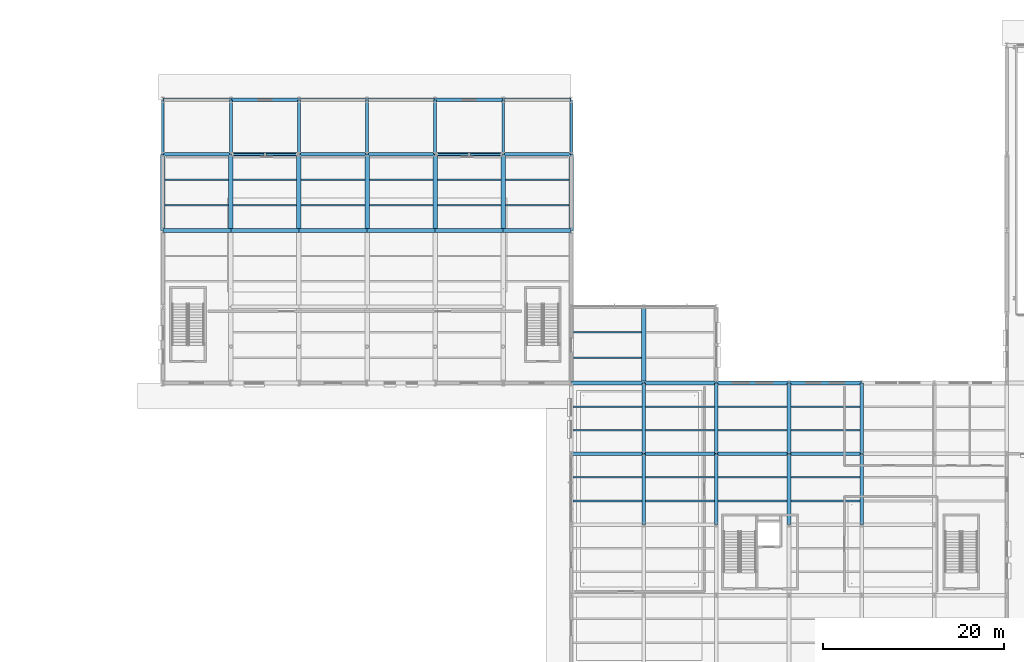
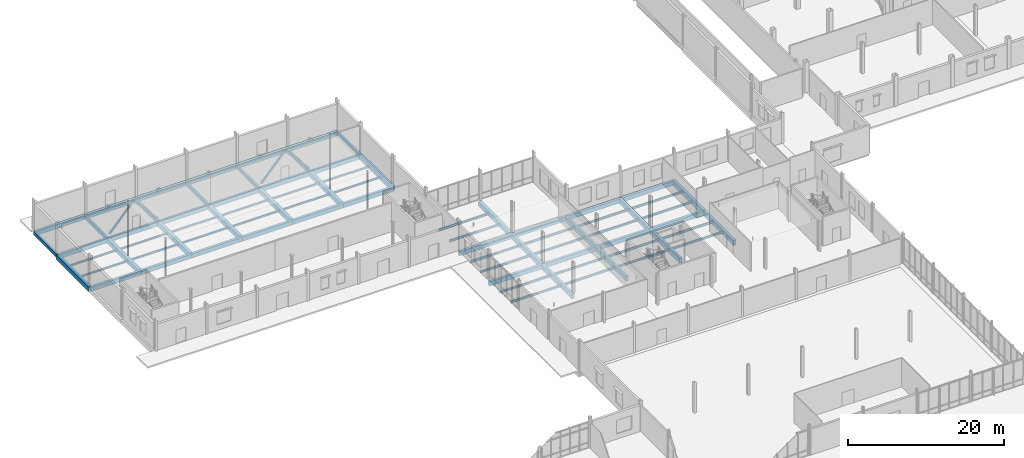
# One storey, part 31 of 82: 79 beams, 4 members.
"""IFC4 building model written with IfcOpenShell, lengths in metres."""

from ifc_helpers import new_model, si_unit, direction, frame, origin, origin_2d, place, context, subcontext, project, spatial, rectangle, hollow_rectangle, i_section, extrude, material, material_profile, profile_set, type_object, element, save


model = new_model("IFC4")

# Units and contexts
model_context = context("Model", 3, precision=1e-05, world=origin(), true_north=direction((0.0, 1.0)))
body_context = subcontext(model_context, "Body", "Model", "MODEL_VIEW")
ifc_project = project(units=[si_unit("LENGTHUNIT", "METRE"), si_unit("AREAUNIT", "SQUARE_METRE"), si_unit("VOLUMEUNIT", "CUBIC_METRE"), si_unit("PLANEANGLEUNIT", "RADIAN"), si_unit("MASSUNIT", "GRAM", prefix="KILO")], contexts=[model_context])

# Site, building, storey
site_placement = place(None, origin())
site = spatial("IfcSite", under=ifc_project, at=site_placement, CompositionType="ELEMENT")
building_placement = place(site_placement, origin())
building = spatial("IfcBuilding", under=site, at=building_placement, Name="Yukiwa Park Conservatory and Herbarium", CompositionType="ELEMENT")
storey_placement = place(building_placement, origin())
storey = spatial("IfcBuildingStorey", under=building, at=storey_placement, Name="L00", CompositionType="ELEMENT", Elevation=0.0)

# Beams
ifc_material_1 = material(Name="Steel Q355D", Category="steel")
ifc_material_profile_1 = material_profile(ifc_material_1, i_section(OverallWidth=0.14892578125, OverallDepth=0.298095703125, WebThickness=0.005615234375, FlangeThickness=0.008056640625, FilletRadius=0.012939453125, at=origin_2d()), Name="HN 298x149x5.5x8")
ifc_profile_set_1 = profile_set([ifc_material_profile_1], Name="Steel Q355D")
beam_type_1 = type_object("IfcBeamType", Name="BM-JST-HN298", PredefinedType="JOIST", material=ifc_profile_set_1)
for number, where, z_axis, x_axis, name in (
    (1, (15.24609375, 97.60009765625, -0.408935546875), (1.0, 0.0, 0.0), (0.0, 1.0, 0.0), "L00 composite floor joist 21"),
    (2, (15.24609375, 100.39990234375, -0.408935546875), (1.0, 0.0, 0.0), (0.0, 1.0, 0.0), "L00 composite floor joist 22"),
    (3, (22.74609375, 97.60009765625, -0.408935546875), (1.0, 0.0, 0.0), (0.0, 1.0, 0.0), "L00 composite floor joist 35"),
    (4, (22.74609375, 100.39990234375, -0.408935546875), (1.0, 0.0, 0.0), (0.0, 1.0, 0.0), "L00 composite floor joist 36"),
    (5, (30.24609375, 97.60009765625, -0.408935546875), (1.0, 0.0, 0.0), (0.0, 1.0, 0.0), "L00 composite floor joist 49"),
    (6, (30.24609375, 100.39990234375, -0.408935546875), (1.0, 0.0, 0.0), (0.0, 1.0, 0.0), "L00 composite floor joist 50"),
    (7, (37.74609375, 97.60009765625, -0.408935546875), (1.0, 0.0, 0.0), (0.0, 1.0, 0.0), "L00 composite floor joist 63"),
    (8, (37.74609375, 100.39990234375, -0.408935546875), (1.0, 0.0, 0.0), (0.0, 1.0, 0.0), "L00 composite floor joist 64"),
    (9, (45.24609375, 97.60009765625, -0.408935546875), (1.0, 0.0, 0.0), (0.0, 1.0, 0.0), "L00 composite floor joist 77"),
    (10, (45.24609375, 100.39990234375, -0.408935546875), (1.0, 0.0, 0.0), (0.0, 1.0, 0.0), "L00 composite floor joist 78"),
    (11, (52.74609375, 97.60009765625, -0.408935546875), (1.0, 0.0, 0.0), (0.0, 1.0, 0.0), "L00 composite floor joist 87"),
    (12, (52.74609375, 100.39990234375, -0.408935546875), (1.0, 0.0, 0.0), (0.0, 1.0, 0.0), "L00 composite floor joist 88"),
):
    element("IfcBeam", number, at=place(storey_placement, frame(where, z_axis=z_axis, x_axis=x_axis)), inside=storey, type_object=beam_type_1, Name=name, PredefinedType="JOIST", context=body_context, shape_type="SweptSolid", body=[
        extrude(i_section(OverallWidth=0.14892578125, OverallDepth=0.298095703125, WebThickness=0.005615234375, FlangeThickness=0.008056640625, FilletRadius=0.012939453125, at=origin_2d()), origin(), (0.0, 0.0, 1.0), 7.0078125),
    ])
ifc_material_2 = material(Name="Steel Q355D", Category="steel")
ifc_material_profile_2 = material_profile(ifc_material_2, i_section(OverallWidth=0.174072265625, OverallDepth=0.345947265625, WebThickness=0.006103515625, FlangeThickness=0.009033203125, FilletRadius=0.013916015625, at=origin_2d()), Name="HN 346x174x6x9")
ifc_profile_set_2 = profile_set([ifc_material_profile_2], Name="Steel Q355D")
beam_type_2 = type_object("IfcBeamType", Name="BM-JST-HN346", PredefinedType="JOIST", material=ifc_profile_set_2)
for number, where, z_axis, x_axis, name in (
    (13, (60.196044921875, 65.0, -0.43310546875), (1.0, 0.0, 0.0), (0.0, 1.0, 0.0), "L00 composite floor joist 97"),
    (14, (60.196044921875, 67.60009765625, -0.43310546875), (1.0, 0.0, 0.0), (0.0, 1.0, 0.0), "L00 composite floor joist 98"),
    (15, (60.196044921875, 72.800048828125, -0.43310546875), (1.0, 0.0, 0.0), (0.0, 1.0, 0.0), "L00 composite floor joist 99"),
    (16, (60.196044921875, 75.39990234375, -0.43310546875), (1.0, 0.0, 0.0), (0.0, 1.0, 0.0), "L00 composite floor joist 100"),
):
    element("IfcBeam", number, at=place(storey_placement, frame(where, z_axis=z_axis, x_axis=x_axis)), inside=storey, type_object=beam_type_2, Name=name, PredefinedType="JOIST", context=body_context, shape_type="SweptSolid", body=[
        extrude(i_section(OverallWidth=0.174072265625, OverallDepth=0.345947265625, WebThickness=0.006103515625, FlangeThickness=0.009033203125, FilletRadius=0.013916015625, at=origin_2d()), origin(), (0.0, 0.0, 1.0), 7.60791015625),
    ])
for number, where, z_axis, x_axis, name in (
    (17, (60.24609375, 80.800048828125, -0.43310546875), (1.0, 0.0, 0.0), (0.0, 1.0, 0.0), "L00 composite floor joist 101"),
    (18, (60.24609375, 83.60009765625, -0.43310546875), (1.0, 0.0, 0.0), (0.0, 1.0, 0.0), "L00 composite floor joist 102"),
):
    element("IfcBeam", number, at=place(storey_placement, frame(where, z_axis=z_axis, x_axis=x_axis)), inside=storey, type_object=beam_type_2, Name=name, PredefinedType="JOIST", context=body_context, shape_type="SweptSolid", body=[
        extrude(i_section(OverallWidth=0.174072265625, OverallDepth=0.345947265625, WebThickness=0.006103515625, FlangeThickness=0.009033203125, FilletRadius=0.013916015625, at=origin_2d()), origin(), (0.0, 0.0, 1.0), 7.5078125),
    ])
for number, where, z_axis, x_axis, name in (
    (19, (68.196044921875, 65.0, -0.43310546875), (1.0, 0.0, 0.0), (0.0, 1.0, 0.0), "L00 composite floor joist 115"),
    (20, (68.196044921875, 67.60009765625, -0.43310546875), (1.0, 0.0, 0.0), (0.0, 1.0, 0.0), "L00 composite floor joist 116"),
    (21, (68.196044921875, 72.800048828125, -0.43310546875), (1.0, 0.0, 0.0), (0.0, 1.0, 0.0), "L00 composite floor joist 117"),
    (22, (68.196044921875, 75.39990234375, -0.43310546875), (1.0, 0.0, 0.0), (0.0, 1.0, 0.0), "L00 composite floor joist 118"),
    (23, (76.196044921875, 65.0, -0.43310546875), (1.0, 0.0, 0.0), (0.0, 1.0, 0.0), "L00 composite floor joist 131"),
    (24, (76.196044921875, 67.60009765625, -0.43310546875), (1.0, 0.0, 0.0), (0.0, 1.0, 0.0), "L00 composite floor joist 132"),
    (25, (76.196044921875, 72.800048828125, -0.43310546875), (1.0, 0.0, 0.0), (0.0, 1.0, 0.0), "L00 composite floor joist 133"),
    (26, (76.196044921875, 75.39990234375, -0.43310546875), (1.0, 0.0, 0.0), (0.0, 1.0, 0.0), "L00 composite floor joist 134"),
    (27, (84.196044921875, 65.0, -0.43310546875), (1.0, 0.0, 0.0), (0.0, 1.0, 0.0), "L00 composite floor joist 147"),
    (28, (84.196044921875, 67.60009765625, -0.43310546875), (1.0, 0.0, 0.0), (0.0, 1.0, 0.0), "L00 composite floor joist 148"),
    (29, (84.196044921875, 72.800048828125, -0.43310546875), (1.0, 0.0, 0.0), (0.0, 1.0, 0.0), "L00 composite floor joist 149"),
    (30, (84.196044921875, 75.39990234375, -0.43310546875), (1.0, 0.0, 0.0), (0.0, 1.0, 0.0), "L00 composite floor joist 150"),
):
    element("IfcBeam", number, at=place(storey_placement, frame(where, z_axis=z_axis, x_axis=x_axis)), inside=storey, type_object=beam_type_2, Name=name, PredefinedType="JOIST", context=body_context, shape_type="SweptSolid", body=[
        extrude(i_section(OverallWidth=0.174072265625, OverallDepth=0.345947265625, WebThickness=0.006103515625, FlangeThickness=0.009033203125, FilletRadius=0.013916015625, at=origin_2d()), origin(), (0.0, 0.0, 1.0), 7.60791015625),
    ])
ifc_material_3 = material(Name="Concrete C40", Category="concrete")
ifc_material_profile_3 = material_profile(ifc_material_3, rectangle(XDim=0.300048828125, YDim=0.5, at=origin_2d()), Name="RC 300x500")
ifc_profile_set_3 = profile_set([ifc_material_profile_3], Name="Concrete C40")
beam_type_3 = type_object("IfcBeamType", Name="BM-RC-300X500", PredefinedType="BEAM", material=ifc_profile_set_3)
for number, where, z_axis, x_axis, name in (
    (31, (15.0, 103.2060546875, -0.510009765625), (0.0, 1.0, 0.0), (-1.0, 0.0, 0.0), "L00 grid girder Y-168"),
    (32, (22.5, 103.2060546875, -0.510009765625), (0.0, 1.0, 0.0), (-1.0, 0.0, 0.0), "L00 grid girder Y-176"),
    (33, (30.0, 103.2060546875, -0.510009765625), (0.0, 1.0, 0.0), (-1.0, 0.0, 0.0), "L00 grid girder Y-184"),
    (34, (37.5, 103.2060546875, -0.510009765625), (0.0, 1.0, 0.0), (-1.0, 0.0, 0.0), "L00 grid girder Y-192"),
    (35, (45.0, 103.2060546875, -0.510009765625), (0.0, 1.0, 0.0), (-1.0, 0.0, 0.0), "L00 grid girder Y-200"),
    (36, (52.5, 103.2060546875, -0.510009765625), (0.0, 1.0, 0.0), (-1.0, 0.0, 0.0), "L00 grid girder Y-208"),
    (37, (60.0, 103.2060546875, -0.510009765625), (0.0, 1.0, 0.0), (-1.0, 0.0, 0.0), "L00 grid girder Y-220"),
):
    element("IfcBeam", number, at=place(storey_placement, frame(where, z_axis=z_axis, x_axis=x_axis)), inside=storey, type_object=beam_type_3, Name=name, PredefinedType="BEAM", context=body_context, shape_type="SweptSolid", body=[
        extrude(rectangle(XDim=0.300048828125, YDim=0.5, at=origin_2d()), origin(), (0.0, 0.0, 1.0), 5.988037109375),
    ])
ifc_material_4 = material(Name="Concrete C40", Category="concrete")
ifc_material_profile_4 = material_profile(ifc_material_4, rectangle(XDim=0.39990234375, YDim=0.64990234375, at=origin_2d()), Name="RC 400x650")
ifc_profile_set_4 = profile_set([ifc_material_profile_4], Name="Concrete C40")
beam_type_4 = type_object("IfcBeamType", Name="BM-RC-400X650", PredefinedType="BEAM", material=ifc_profile_set_4)
for number, where, z_axis, x_axis, name in (
    (38, (60.006103515625, 70.199951171875, -0.5849609375), (1.0, 0.0, 0.0), (0.0, 1.0, 0.0), "L00 grid beam X-80"),
    (39, (68.006103515625, 70.199951171875, -0.5849609375), (1.0, 0.0, 0.0), (0.0, 1.0, 0.0), "L00 grid beam X-81"),
    (40, (76.006103515625, 70.199951171875, -0.5849609375), (1.0, 0.0, 0.0), (0.0, 1.0, 0.0), "L00 grid beam X-82"),
    (41, (84.006103515625, 70.199951171875, -0.5849609375), (1.0, 0.0, 0.0), (0.0, 1.0, 0.0), "L00 grid beam X-83"),
    (42, (60.006103515625, 78.0, -0.5849609375), (1.0, 0.0, 0.0), (0.0, 1.0, 0.0), "L00 grid beam X-92"),
    (43, (68.006103515625, 78.0, -0.5849609375), (1.0, 0.0, 0.0), (0.0, 1.0, 0.0), "L00 grid beam X-93"),
    (44, (76.006103515625, 78.0, -0.5849609375), (1.0, 0.0, 0.0), (0.0, 1.0, 0.0), "L00 grid beam X-94"),
    (45, (84.006103515625, 78.0, -0.5849609375), (1.0, 0.0, 0.0), (0.0, 1.0, 0.0), "L00 grid beam X-95"),
):
    element("IfcBeam", number, at=place(storey_placement, frame(where, z_axis=z_axis, x_axis=x_axis)), inside=storey, type_object=beam_type_4, Name=name, PredefinedType="BEAM", context=body_context, shape_type="SweptSolid", body=[
        extrude(rectangle(XDim=0.39990234375, YDim=0.64990234375, at=origin_2d()), origin(), (0.0, 0.0, 1.0), 7.98779296875),
    ])
for number, where, z_axis, x_axis, name in (
    (46, (15.006103515625, 94.800048828125, -0.5849609375), (1.0, 0.0, 0.0), (0.0, 1.0, 0.0), "L00 grid beam X-117"),
    (47, (22.506103515625, 94.800048828125, -0.5849609375), (1.0, 0.0, 0.0), (0.0, 1.0, 0.0), "L00 grid beam X-118"),
    (48, (30.006103515625, 94.800048828125, -0.5849609375), (1.0, 0.0, 0.0), (0.0, 1.0, 0.0), "L00 grid beam X-119"),
    (49, (37.506103515625, 94.800048828125, -0.5849609375), (1.0, 0.0, 0.0), (0.0, 1.0, 0.0), "L00 grid beam X-120"),
    (50, (45.006103515625, 94.800048828125, -0.5849609375), (1.0, 0.0, 0.0), (0.0, 1.0, 0.0), "L00 grid beam X-121"),
    (51, (52.506103515625, 94.800048828125, -0.5849609375), (1.0, 0.0, 0.0), (0.0, 1.0, 0.0), "L00 grid beam X-122"),
    (52, (15.006103515625, 103.199951171875, -0.5849609375), (1.0, 0.0, 0.0), (0.0, 1.0, 0.0), "L00 grid beam X-129"),
    (53, (22.506103515625, 103.199951171875, -0.5849609375), (1.0, 0.0, 0.0), (0.0, 1.0, 0.0), "L00 grid beam X-130"),
    (54, (30.006103515625, 103.199951171875, -0.5849609375), (1.0, 0.0, 0.0), (0.0, 1.0, 0.0), "L00 grid beam X-131"),
    (55, (37.506103515625, 103.199951171875, -0.5849609375), (1.0, 0.0, 0.0), (0.0, 1.0, 0.0), "L00 grid beam X-132"),
    (56, (45.006103515625, 103.199951171875, -0.5849609375), (1.0, 0.0, 0.0), (0.0, 1.0, 0.0), "L00 grid beam X-133"),
    (57, (52.506103515625, 103.199951171875, -0.5849609375), (1.0, 0.0, 0.0), (0.0, 1.0, 0.0), "L00 grid beam X-134"),
    (58, (15.006103515625, 109.199951171875, -0.5849609375), (1.0, 0.0, 0.0), (0.0, 1.0, 0.0), "L00 grid beam X-141"),
    (59, (22.506103515625, 109.199951171875, -0.5849609375), (1.0, 0.0, 0.0), (0.0, 1.0, 0.0), "L00 grid beam X-142"),
    (60, (30.006103515625, 109.199951171875, -0.5849609375), (1.0, 0.0, 0.0), (0.0, 1.0, 0.0), "L00 grid beam X-143"),
    (61, (37.506103515625, 109.199951171875, -0.5849609375), (1.0, 0.0, 0.0), (0.0, 1.0, 0.0), "L00 grid beam X-144"),
    (62, (45.006103515625, 109.199951171875, -0.5849609375), (1.0, 0.0, 0.0), (0.0, 1.0, 0.0), "L00 grid beam X-145"),
    (63, (52.506103515625, 109.199951171875, -0.5849609375), (1.0, 0.0, 0.0), (0.0, 1.0, 0.0), "L00 grid beam X-146"),
):
    element("IfcBeam", number, at=place(storey_placement, frame(where, z_axis=z_axis, x_axis=x_axis)), inside=storey, type_object=beam_type_4, Name=name, PredefinedType="BEAM", context=body_context, shape_type="SweptSolid", body=[
        extrude(rectangle(XDim=0.39990234375, YDim=0.64990234375, at=origin_2d()), origin(), (0.0, 0.0, 1.0), 7.48779296875),
    ])
ifc_material_5 = material(Name="Concrete C40", Category="concrete")
ifc_material_profile_5 = material_profile(ifc_material_5, rectangle(XDim=0.39990234375, YDim=0.800048828125, at=origin_2d()), Name="RC 400x800")
ifc_profile_set_5 = profile_set([ifc_material_profile_5], Name="Concrete C40")
beam_type_5 = type_object("IfcBeamType", Name="BM-RC-400X800", PredefinedType="BEAM", material=ifc_profile_set_5)
beam_1_placement = place(storey_placement, frame((68.0, 62.406005859375, -0.659912109375), z_axis=(0.0, 1.0, 0.0), x_axis=(-1.0, 0.0, 0.0)))
element("IfcBeam", 64, at=beam_1_placement, inside=storey, type_object=beam_type_5, Name="L00 grid girder Y-227", PredefinedType="BEAM", context=body_context, shape_type="SweptSolid", body=[
    extrude(rectangle(XDim=0.39990234375, YDim=0.800048828125, at=origin_2d()), origin(), (0.0, 0.0, 1.0), 7.7880859375),
])
beam_2_placement = place(storey_placement, frame((68.0, 70.2060546875, -0.659912109375), z_axis=(0.0, 1.0, 0.0), x_axis=(-1.0, 0.0, 0.0)))
element("IfcBeam", 65, at=beam_2_placement, inside=storey, type_object=beam_type_5, Name="L00 grid girder Y-228", PredefinedType="BEAM", context=body_context, shape_type="SweptSolid", body=[
    extrude(rectangle(XDim=0.39990234375, YDim=0.800048828125, at=origin_2d()), origin(), (0.0, 0.0, 1.0), 7.787841796875),
])
beam_3_placement = place(storey_placement, frame((76.0, 62.406005859375, -0.659912109375), z_axis=(0.0, 1.0, 0.0), x_axis=(-1.0, 0.0, 0.0)))
element("IfcBeam", 66, at=beam_3_placement, inside=storey, type_object=beam_type_5, Name="L00 grid girder Y-236", PredefinedType="BEAM", context=body_context, shape_type="SweptSolid", body=[
    extrude(rectangle(XDim=0.39990234375, YDim=0.800048828125, at=origin_2d()), origin(), (0.0, 0.0, 1.0), 7.7880859375),
])
beam_4_placement = place(storey_placement, frame((76.0, 70.2060546875, -0.659912109375), z_axis=(0.0, 1.0, 0.0), x_axis=(-1.0, 0.0, 0.0)))
element("IfcBeam", 67, at=beam_4_placement, inside=storey, type_object=beam_type_5, Name="L00 grid girder Y-237", PredefinedType="BEAM", context=body_context, shape_type="SweptSolid", body=[
    extrude(rectangle(XDim=0.39990234375, YDim=0.800048828125, at=origin_2d()), origin(), (0.0, 0.0, 1.0), 7.787841796875),
])
beam_5_placement = place(storey_placement, frame((84.0, 62.406005859375, -0.659912109375), z_axis=(0.0, 1.0, 0.0), x_axis=(-1.0, 0.0, 0.0)))
element("IfcBeam", 68, at=beam_5_placement, inside=storey, type_object=beam_type_5, Name="L00 grid girder Y-245", PredefinedType="BEAM", context=body_context, shape_type="SweptSolid", body=[
    extrude(rectangle(XDim=0.39990234375, YDim=0.800048828125, at=origin_2d()), origin(), (0.0, 0.0, 1.0), 7.7880859375),
])
beam_6_placement = place(storey_placement, frame((84.0, 70.2060546875, -0.659912109375), z_axis=(0.0, 1.0, 0.0), x_axis=(-1.0, 0.0, 0.0)))
element("IfcBeam", 69, at=beam_6_placement, inside=storey, type_object=beam_type_5, Name="L00 grid girder Y-246", PredefinedType="BEAM", context=body_context, shape_type="SweptSolid", body=[
    extrude(rectangle(XDim=0.39990234375, YDim=0.800048828125, at=origin_2d()), origin(), (0.0, 0.0, 1.0), 7.787841796875),
])
beam_7_placement = place(storey_placement, frame((92.0, 62.406005859375, -0.659912109375), z_axis=(0.0, 1.0, 0.0), x_axis=(-1.0, 0.0, 0.0)))
element("IfcBeam", 70, at=beam_7_placement, inside=storey, type_object=beam_type_5, Name="L00 grid girder Y-253", PredefinedType="BEAM", context=body_context, shape_type="SweptSolid", body=[
    extrude(rectangle(XDim=0.39990234375, YDim=0.800048828125, at=origin_2d()), origin(), (0.0, 0.0, 1.0), 7.7880859375),
])
beam_8_placement = place(storey_placement, frame((92.0, 70.2060546875, -0.659912109375), z_axis=(0.0, 1.0, 0.0), x_axis=(-1.0, 0.0, 0.0)))
element("IfcBeam", 71, at=beam_8_placement, inside=storey, type_object=beam_type_5, Name="L00 grid girder Y-254", PredefinedType="BEAM", context=body_context, shape_type="SweptSolid", body=[
    extrude(rectangle(XDim=0.39990234375, YDim=0.800048828125, at=origin_2d()), origin(), (0.0, 0.0, 1.0), 7.787841796875),
])
ifc_material_6 = material(Name="Concrete C40", Category="concrete")
ifc_material_profile_6 = material_profile(ifc_material_6, rectangle(XDim=0.5, YDim=0.699951171875, at=origin_2d()), Name="RC 500x700")
ifc_profile_set_6 = profile_set([ifc_material_profile_6], Name="Concrete C40")
beam_type_6 = type_object("IfcBeamType", Name="BM-RC-500X700", PredefinedType="BEAM", material=ifc_profile_set_6)
for number, where, z_axis, x_axis, name in (
    (72, (15.0, 94.805908203125, -0.610107421875), (0.0, 1.0, 0.0), (-1.0, 0.0, 0.0), "L00 grid girder Y-167"),
    (73, (22.5, 94.805908203125, -0.610107421875), (0.0, 1.0, 0.0), (-1.0, 0.0, 0.0), "L00 grid girder Y-175"),
    (74, (30.0, 94.805908203125, -0.610107421875), (0.0, 1.0, 0.0), (-1.0, 0.0, 0.0), "L00 grid girder Y-183"),
    (75, (37.5, 94.805908203125, -0.610107421875), (0.0, 1.0, 0.0), (-1.0, 0.0, 0.0), "L00 grid girder Y-191"),
    (76, (45.0, 94.805908203125, -0.610107421875), (0.0, 1.0, 0.0), (-1.0, 0.0, 0.0), "L00 grid girder Y-199"),
    (77, (52.5, 94.805908203125, -0.610107421875), (0.0, 1.0, 0.0), (-1.0, 0.0, 0.0), "L00 grid girder Y-207"),
    (78, (60.0, 94.805908203125, -0.610107421875), (0.0, 1.0, 0.0), (-1.0, 0.0, 0.0), "L00 grid girder Y-219"),
):
    element("IfcBeam", number, at=place(storey_placement, frame(where, z_axis=z_axis, x_axis=x_axis)), inside=storey, type_object=beam_type_6, Name=name, PredefinedType="BEAM", context=body_context, shape_type="SweptSolid", body=[
        extrude(rectangle(XDim=0.5, YDim=0.699951171875, at=origin_2d()), origin(), (0.0, 0.0, 1.0), 8.38818359375),
    ])
beam_9_placement = place(storey_placement, frame((68.0, 78.006103515625, -0.610107421875), z_axis=(0.0, 1.0, 0.0), x_axis=(-1.0, 0.0, 0.0)))
element("IfcBeam", 79, at=beam_9_placement, inside=storey, type_object=beam_type_6, Name="L00 grid girder Y-229", PredefinedType="BEAM", context=body_context, shape_type="SweptSolid", body=[
    extrude(rectangle(XDim=0.5, YDim=0.699951171875, at=origin_2d()), origin(), (0.0, 0.0, 1.0), 8.387939453125),
])

# Members
ifc_material_7 = material(Name="Steel Q355D", Category="steel")
ifc_material_profile_7 = material_profile(ifc_material_7, hollow_rectangle(XDim=0.25, YDim=0.25, WallThickness=0.010009765625, InnerFilletRadius=0.010009765625, OuterFilletRadius=0.02001953125, at=origin_2d()), Name="SHS 250x250x10")
ifc_profile_set_7 = profile_set([ifc_material_profile_7], Name="Steel Q355D")
member_type = type_object("IfcMemberType", Name="MB-BR-SHS250", PredefinedType="BRACE", material=ifc_profile_set_7)
for number, where, z_axis, x_axis, name in (
    (80, (22.69873046875, 103.199951171875, 0.268798828125), (0.671743636297, 0.0, 0.740783697913), (0.0, 1.0, 0.0), "L00 concentric chevron brace 5"),
    (81, (29.80126953125, 103.199951171875, 0.268798828125), (-0.671743636297, 0.0, 0.740783697913), (0.0, -1.0, 0.0), "L00 concentric chevron brace 6"),
    (82, (45.19873046875, 103.199951171875, 0.268798828125), (0.671743636297, 0.0, 0.740783697913), (0.0, 1.0, 0.0), "L00 concentric chevron brace 7"),
    (83, (52.30126953125, 103.199951171875, 0.268798828125), (-0.671743636297, 0.0, 0.740783697913), (0.0, -1.0, 0.0), "L00 concentric chevron brace 8"),
):
    element("IfcMember", number, at=place(storey_placement, frame(where, z_axis=z_axis, x_axis=x_axis)), inside=storey, type_object=member_type, Name=name, PredefinedType="BRACE", context=body_context, shape_type="SweptSolid", body=[
        extrude(hollow_rectangle(XDim=0.25, YDim=0.25, WallThickness=0.010009765625, InnerFilletRadius=0.010009765625, OuterFilletRadius=0.02001953125, at=origin_2d()), origin(), (0.0, 0.0, 1.0), 5.28662109375),
    ])

save(model, "model.ifc")
